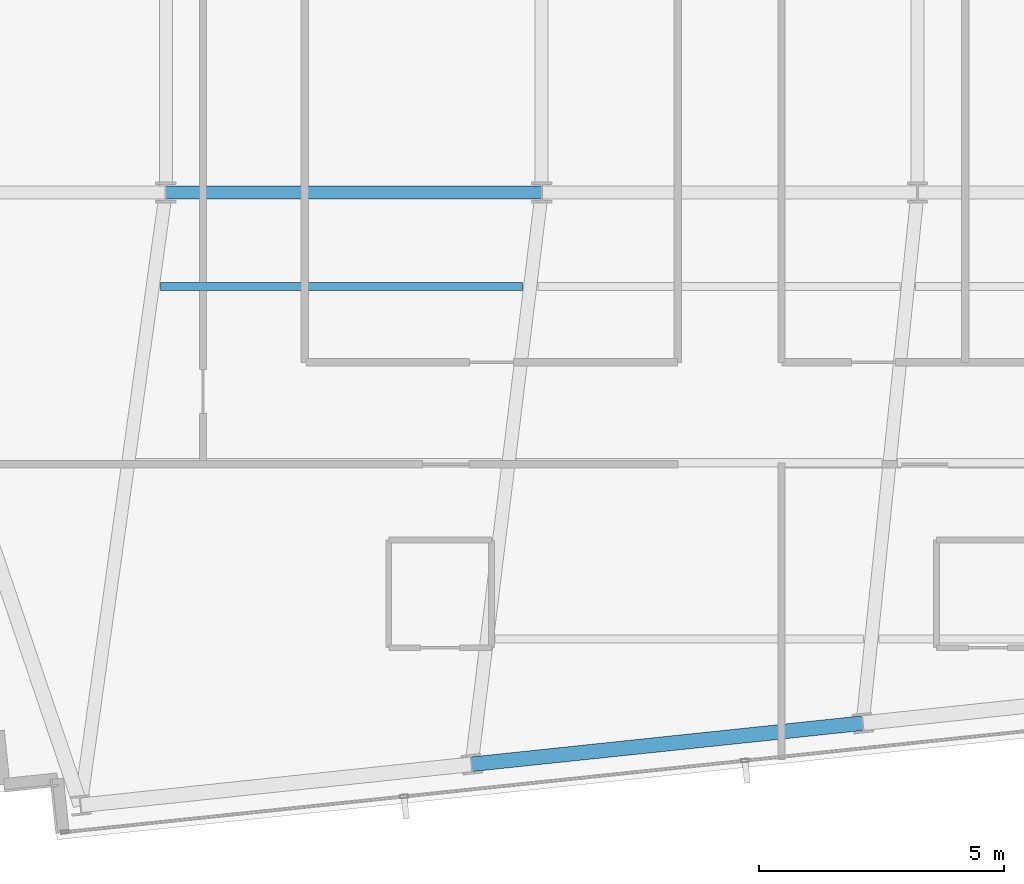
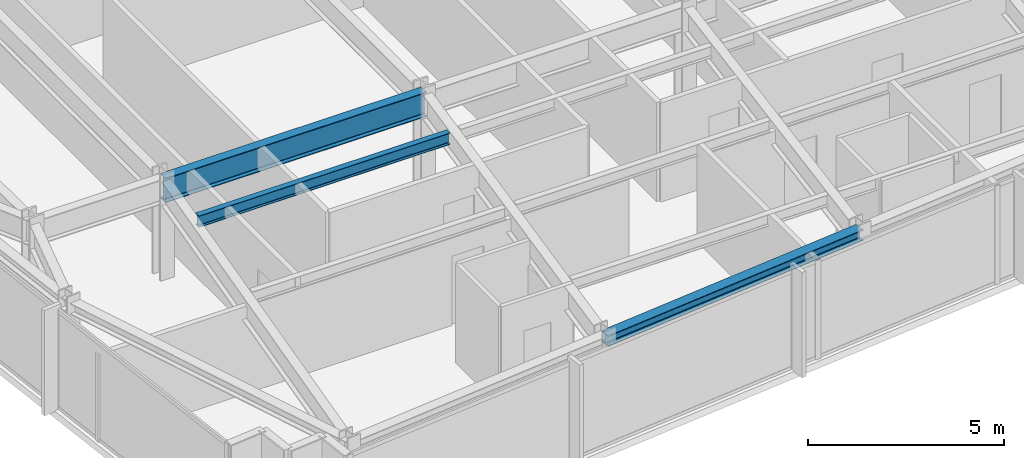
# One storey, part 6 of 32: 3 beams.
"""IFC4 building model written with IfcOpenShell, lengths in metres."""

import ifcopenshell
import ifcopenshell.guid

model = None  # the IFC model being written
_history = None  # IfcOwnerHistory: only IFC2X3 demands one
_inside = {}  # id of a spatial element -> (the spatial element, [elements in it])
_under = {}  # id of a project, library or spatial element -> (it, [spatial elements below it])
_declared = {}  # id of a project -> (the project, [libraries it declares])
_typed = {}  # id of a type object -> (the type object, [elements of that type])
_made_of = {}  # id of a material, layer set ... -> (it, [elements and type objects made of it])


def new_model(schema):
    """Start an empty IFC model of exactly this schema.

    Asked for "IFC4X3", IfcOpenShell would pick the latest addendum, in which some entities
    have other attributes; the version numbers below select the first issue.
    IFC2X3 requires an IfcOwnerHistory on every rooted entity: one is made here for all.
    """
    global model, _history
    if schema == "IFC4X3":
        model = ifcopenshell.file(schema_version=(4, 3, 0, 0))
    else:
        model = ifcopenshell.file(schema=schema)
    _inside.clear()
    _under.clear()
    _declared.clear()
    _typed.clear()
    _made_of.clear()
    _history = None
    if model.schema == "IFC2X3":
        org = make("IfcOrganization", Name="unknown")
        user = make(
            "IfcPersonAndOrganization",
            ThePerson=make("IfcPerson", FamilyName="unknown"),
            TheOrganization=org,
        )
        app = make(
            "IfcApplication",
            ApplicationDeveloper=org,
            Version="unknown",
            ApplicationFullName="unknown",
            ApplicationIdentifier="unknown",
        )
        _history = make(
            "IfcOwnerHistory",
            OwningUser=user,
            OwningApplication=app,
            ChangeAction="ADDED",
            CreationDate=0,
        )
    return model


def make(cls, **values):
    """One entity of the class cls with the attributes given. An attribute that is None is left unset."""
    return model.create_entity(
        cls, **{name: value for name, value in values.items() if value is not None}
    )


def rooted(cls, **values):
    """An entity with a GlobalId (a new one), such as an element, a storey or a relation."""
    return make(cls, GlobalId=ifcopenshell.guid.new(), OwnerHistory=_history, **values)


def si_unit(unit_type, name, prefix=None):
    """IfcSIUnit, for example si_unit("LENGTHUNIT", "METRE", prefix="MILLI")."""
    return make("IfcSIUnit", UnitType=unit_type, Prefix=prefix, Name=name)


def assignment(units):
    """IfcUnitAssignment: the units of a project."""
    return None if units is None else make("IfcUnitAssignment", Units=units)


def point(xyz):
    """IfcCartesianPoint."""
    return None if xyz is None else make("IfcCartesianPoint", Coordinates=xyz)


def direction(xyz):
    """IfcDirection."""
    return None if xyz is None else make("IfcDirection", DirectionRatios=xyz)


def frame(location, z_axis=None, x_axis=None):
    """IfcAxis2Placement3D, a coordinate frame: its origin and axes. An axis left out is left unset."""
    return make(
        "IfcAxis2Placement3D",
        Location=point(location),
        Axis=direction(z_axis),
        RefDirection=direction(x_axis),
    )


def frame_2d(location, x_axis=None):
    """IfcAxis2Placement2D, a coordinate frame in the plane: its origin and x axis."""
    return make(
        "IfcAxis2Placement2D", Location=point(location), RefDirection=direction(x_axis)
    )


def origin():
    """The frame at (0, 0, 0) with its axes left unset."""
    return frame((0.0, 0.0, 0.0))


def origin_2d():
    """The frame at (0, 0) in the plane with its x axis left unset."""
    return frame_2d((0.0, 0.0))


def place(relative_to, where):
    """IfcLocalPlacement: puts the frame where relative to a parent placement (None: the world)."""
    return make(
        "IfcLocalPlacement", PlacementRelTo=relative_to, RelativePlacement=where
    )


def context(
    kind, dimensions, precision=None, world=None, true_north=None, identifier=None
):
    """IfcGeometricRepresentationContext, for example the 3D "Model" context."""
    return make(
        "IfcGeometricRepresentationContext",
        ContextIdentifier=identifier,
        ContextType=kind,
        CoordinateSpaceDimension=dimensions,
        Precision=precision,
        WorldCoordinateSystem=world,
        TrueNorth=true_north,
    )


def subcontext(parent, identifier, kind, view, scale=None):
    """IfcGeometricRepresentationSubContext, for example "Body" below "Model"."""
    return make(
        "IfcGeometricRepresentationSubContext",
        ContextIdentifier=identifier,
        ContextType=kind,
        ParentContext=parent,
        TargetScale=scale,
        TargetView=view,
    )


def project(units=None, contexts=None):
    """IfcProject with its units and contexts."""
    return rooted(
        "IfcProject",
        Name="project",
        RepresentationContexts=contexts,
        UnitsInContext=assignment(units),
    )


def spatial(cls, under=None, at=None, **own):
    """A site, building, storey or space (cls), placed at a placement, below another one or the project."""
    s = rooted(cls, ObjectPlacement=at, **own)
    if under is not None:
        _under.setdefault(under.id(), (under, []))[1].append(s)
    return s


def profile(cls, at=None, kind="AREA", **sizes):
    """A parametric profile (cls). Its sizes go by their IFC names, for example OverallWidth=200.0."""
    return make(cls, ProfileType=kind, Position=at, **sizes)


def i_section(**sizes):
    """IfcIShapeProfileDef."""
    return profile("IfcIShapeProfileDef", **sizes)


def extrude(swept, where, along, depth):
    """IfcExtrudedAreaSolid: the profile swept, set in the frame where, extruded along a direction by depth."""
    return make(
        "IfcExtrudedAreaSolid",
        SweptArea=swept,
        Position=where,
        ExtrudedDirection=direction(along),
        Depth=depth,
    )


def shape(context_of_items, identifier, shape_type, items):
    """IfcShapeRepresentation: the items that make up one representation, for example the "Body"."""
    return make(
        "IfcShapeRepresentation",
        ContextOfItems=context_of_items,
        RepresentationIdentifier=identifier,
        RepresentationType=shape_type,
        Items=items,
    )


def material(Name=None, Category=None):
    """IfcMaterial."""
    return make("IfcMaterial", Name=Name, Category=Category)


def material_profile(
    of_material, cross_section, Name=None, Category=None, Priority=None
):
    """IfcMaterialProfile: a cross section and its material."""
    return make(
        "IfcMaterialProfile",
        Name=Name,
        Material=of_material,
        Profile=cross_section,
        Priority=Priority,
        Category=Category,
    )


def profile_set(profiles, Name=None, composite=None):
    """IfcMaterialProfileSet."""
    return make(
        "IfcMaterialProfileSet",
        Name=Name,
        MaterialProfiles=profiles,
        CompositeProfile=composite,
    )


def made_of(thing, what):
    """Note that an element or type object is made of a material, layer set ...; save() writes the relation."""
    if what is not None:
        _made_of.setdefault(what.id(), (what, []))[1].append(thing)
    return thing


def type_object(cls, material=None, **own):
    """A type object (cls), such as IfcWallType, which elements share."""
    return made_of(rooted(cls, **own), material)


def element(
    cls,
    number,
    at=None,
    inside=None,
    cuts=None,
    type_object=None,
    material=None,
    context=None,
    identifier="Body",
    shape_type=None,
    held_by="IfcProductDefinitionShape",
    body=None,
    shapes=None,
    **own,
):
    """One element of the class cls, such as IfcWall. Its Tag is "e" and its number.

    at: its placement. inside: the storey or other place that contains it. cuts: it is an
    opening in that element (IfcRelVoidsElement). A single representation is given by context,
    identifier, shape_type and body (its items); several are given by shapes. held_by: the class
    of the entity that holds the representations. save() writes the other relations.
    """
    e = rooted(cls, Tag="e%d" % number, ObjectPlacement=at, **own)
    if body is not None:
        shapes = [shape(context, identifier, shape_type, body)]
    if shapes is not None:
        e.Representation = make(held_by, Representations=shapes)
    if inside is not None:
        _inside.setdefault(inside.id(), (inside, []))[1].append(e)
    if cuts is not None:
        rooted(
            "IfcRelVoidsElement", RelatingBuildingElement=cuts, RelatedOpeningElement=e
        )
    if type_object is not None:
        _typed.setdefault(type_object.id(), (type_object, []))[1].append(e)
    return made_of(e, material)


def aggregate(whole, parts):
    """IfcRelAggregates: a whole, such as a stair, and the parts it consists of."""
    return rooted("IfcRelAggregates", RelatingObject=whole, RelatedObjects=parts)


def save(model, path):
    """Write the relations noted so far, then the file.

    IfcRelAggregates (storeys below a building ...), IfcRelContainedInSpatialStructure (elements
    in a storey), IfcRelDefinesByType, IfcRelAssociatesMaterial and IfcRelDeclares: one each for
    every whole, place, type object, material and project.
    """
    for whole, parts in _under.values():
        aggregate(whole, parts)
    for where, things in _inside.values():
        rooted(
            "IfcRelContainedInSpatialStructure",
            RelatedElements=things,
            RelatingStructure=where,
        )
    for kind, things in _typed.values():
        rooted("IfcRelDefinesByType", RelatedObjects=things, RelatingType=kind)
    for what, things in _made_of.values():
        rooted("IfcRelAssociatesMaterial", RelatedObjects=things, RelatingMaterial=what)
    for by, libraries in _declared.values():
        rooted("IfcRelDeclares", RelatingContext=by, RelatedDefinitions=libraries)
    model.write(path)


model = new_model("IFC4")

# Units and contexts
model_context = context("Model", 3, precision=1e-05, world=origin(), true_north=direction((0.0, 1.0)))
body_context = subcontext(model_context, "Body", "Model", "MODEL_VIEW")
ifc_project = project(units=[si_unit("LENGTHUNIT", "METRE"), si_unit("AREAUNIT", "SQUARE_METRE"), si_unit("VOLUMEUNIT", "CUBIC_METRE"), si_unit("PLANEANGLEUNIT", "RADIAN"), si_unit("MASSUNIT", "GRAM", prefix="KILO")], contexts=[model_context])

# Site, building, storey
site_placement = place(None, origin())
site = spatial("IfcSite", under=ifc_project, at=site_placement, CompositionType="ELEMENT")
building_placement = place(site_placement, origin())
building = spatial("IfcBuilding", under=site, at=building_placement, Name="Yelkora Congress Tower", CompositionType="ELEMENT")
storey_placement = place(building_placement, frame((0.0, 0.0, 211.10009765625)))
storey = spatial("IfcBuildingStorey", under=building, at=storey_placement, Name="L58", CompositionType="ELEMENT", Elevation=211.10009765625)

# Beams
ifc_material = material(Name="Steel S355J2", Category="steel")
ifc_material_profile_1 = material_profile(ifc_material, i_section(OverallWidth=0.26708984375, OverallDepth=0.761962890625, WebThickness=0.014404296875, FlangeThickness=0.021484375, FilletRadius=0.01708984375, at=origin_2d()), Name="IPE 750x173")
ifc_profile_set_1 = profile_set([ifc_material_profile_1], Name="Steel S355J2")
beam_type_1 = type_object("IfcBeamType", Name="BM-GIRD-IPE750", PredefinedType="BEAM", material=ifc_profile_set_1)
beam_1_placement = place(storey_placement, frame((23.0400390625, 25.199951171875, 2.698974609375), z_axis=(1.0, 0.0, 0.0), x_axis=(0.0, 1.0, 0.0)))
element("IfcBeam", 1, at=beam_1_placement, inside=storey, type_object=beam_type_1, Name="L58 Spine Grid D Girder 2", PredefinedType="BEAM", context=body_context, shape_type="SweptSolid", body=[
    extrude(i_section(OverallWidth=0.26708984375, OverallDepth=0.761962890625, WebThickness=0.014404296875, FlangeThickness=0.021484375, FilletRadius=0.01708984375, at=origin_2d()), origin(), (0.0, 0.0, 1.0), 7.679931640625),
])
ifc_material_profile_2 = material_profile(ifc_material, i_section(OverallWidth=0.169921875, OverallDepth=0.360107421875, WebThickness=0.008056640625, FlangeThickness=0.0126953125, FilletRadius=0.01806640625, at=origin_2d()), Name="IPE 360")
ifc_profile_set_2 = profile_set([ifc_material_profile_2], Name="Steel S355J2")
beam_type_2 = type_object("IfcBeamType", Name="BM-JOIST-IPE360", PredefinedType="JOIST", material=ifc_profile_set_2)
beam_2_placement = place(storey_placement, frame((22.932861328125, 23.278564453125, 2.89990234375), z_axis=(1.0, 0.0, 0.0), x_axis=(0.0, 1.0, 0.0)))
element("IfcBeam", 2, at=beam_2_placement, inside=storey, type_object=beam_type_2, Name="L58 Composite Floor Joist 9", PredefinedType="JOIST", context=body_context, shape_type="SweptSolid", body=[
    extrude(i_section(OverallWidth=0.169921875, OverallDepth=0.360107421875, WebThickness=0.008056640625, FlangeThickness=0.0126953125, FilletRadius=0.01806640625, at=origin_2d()), origin(), (0.0, 0.0, 1.0), 7.3916015625),
])
ifc_material_profile_3 = material_profile(ifc_material, i_section(OverallWidth=0.300048828125, OverallDepth=0.340087890625, WebThickness=0.011962890625, FlangeThickness=0.021484375, FilletRadius=0.027099609375, at=origin_2d()), Name="HEB 340")
ifc_profile_set_3 = profile_set([ifc_material_profile_3], Name="Steel S355J2")
beam_type_3 = type_object("IfcBeamType", Name="BM-SPAN-HEB340", PredefinedType="SPANDREL", material=ifc_profile_set_3)
beam_3_placement = place(storey_placement, frame((29.288330078125, 13.518310546875, 2.909912109375), z_axis=(0.994523256947, 0.104515507904, 0.0), x_axis=(-0.104515507904, 0.994523256947, 0.0)))
element("IfcBeam", 3, at=beam_3_placement, inside=storey, type_object=beam_type_3, Name="L58 Perimeter Beam 4", PredefinedType="SPANDREL", context=body_context, shape_type="SweptSolid", body=[
    extrude(i_section(OverallWidth=0.300048828125, OverallDepth=0.340087890625, WebThickness=0.011962890625, FlangeThickness=0.021484375, FilletRadius=0.027099609375, at=origin_2d()), origin(), (0.0, 0.0, 1.0), 8.033203125),
])

save(model, "model.ifc")
